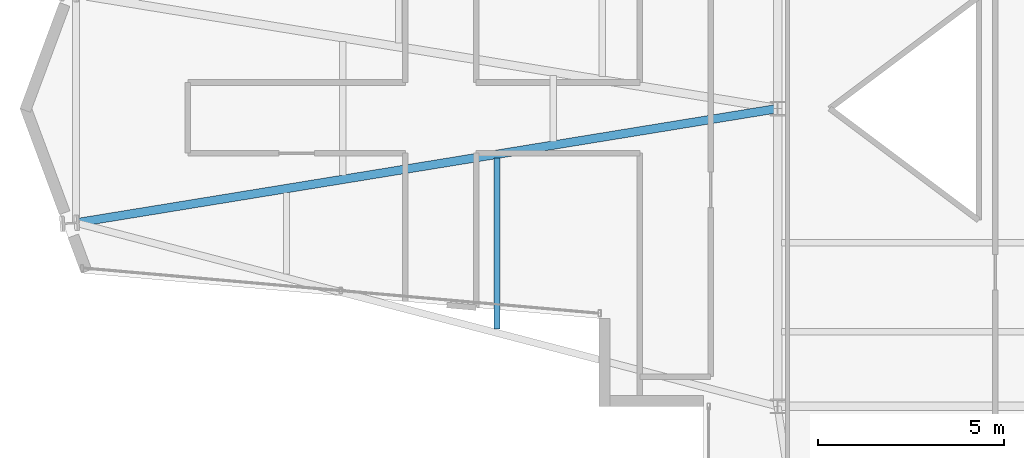
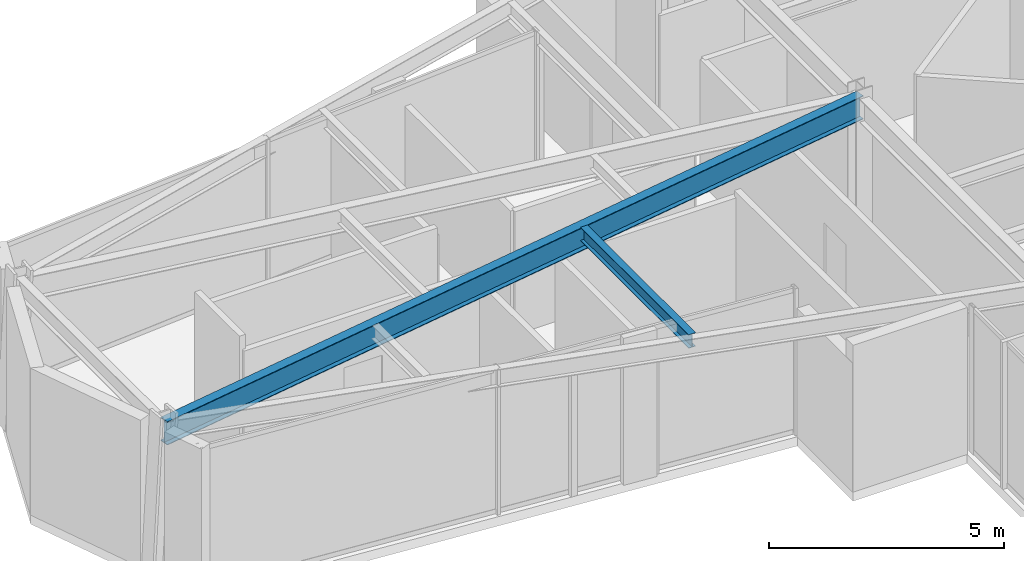
# One storey, part 5 of 25: 2 beams.
"""IFC4 building model written with IfcOpenShell, lengths in metres."""

from ifc_helpers import new_model, si_unit, direction, frame, origin, origin_2d, place, context, subcontext, project, spatial, i_section, extrude, material, material_profile, profile_set, type_object, element, save


model = new_model("IFC4")

# Units and contexts
model_context = context("Model", 3, precision=1e-05, world=origin(), true_north=direction((0.0, 1.0)))
body_context = subcontext(model_context, "Body", "Model", "MODEL_VIEW")
ifc_project = project(units=[si_unit("LENGTHUNIT", "METRE"), si_unit("AREAUNIT", "SQUARE_METRE"), si_unit("VOLUMEUNIT", "CUBIC_METRE"), si_unit("PLANEANGLEUNIT", "RADIAN"), si_unit("MASSUNIT", "GRAM", prefix="KILO")], contexts=[model_context])

# Site, building, storey
site_placement = place(None, origin())
site = spatial("IfcSite", under=ifc_project, at=site_placement, CompositionType="ELEMENT")
building_placement = place(site_placement, origin())
building = spatial("IfcBuilding", under=site, at=building_placement, Name="Veymaron Broadcast Tower", CompositionType="ELEMENT")
storey_placement = place(building_placement, frame((0.0, 0.0, 173.550048828125)))
storey = spatial("IfcBuildingStorey", under=building, at=storey_placement, Name="L40", CompositionType="ELEMENT", Elevation=173.550048828125)

# Beams
ifc_material = material(Name="Structural steel ASTM A992 Gr 50", Category="steel")
ifc_material_profile_1 = material_profile(ifc_material, i_section(OverallWidth=0.22802734375, OverallDepth=0.60791015625, WebThickness=0.01123046875, FlangeThickness=0.017333984375, at=origin_2d()), Name="W610X113")
ifc_profile_set_1 = profile_set([ifc_material_profile_1], Name="Structural steel ASTM A992 Gr 50")
beam_type_1 = type_object("IfcBeamType", Name="BM-FG2", PredefinedType="BEAM", material=ifc_profile_set_1)
beam_1_placement = place(storey_placement, frame((12.35400390625, 20.929931640625, 3.505859375), z_axis=(0.986989627659, 0.160783938541, 0.0), x_axis=(-0.160783938541, 0.986989627659, 0.0)))
element("IfcBeam", 1, at=beam_1_placement, inside=storey, type_object=beam_type_1, Name="L40 primary structural floor girder", PredefinedType="BEAM", context=body_context, shape_type="SweptSolid", body=[
    extrude(i_section(OverallWidth=0.22802734375, OverallDepth=0.60791015625, WebThickness=0.01123046875, FlangeThickness=0.017333984375, at=origin_2d()), origin(), (0.0, 0.0, 1.0), 19.094482421875),
])
ifc_material_profile_2 = material_profile(ifc_material, i_section(OverallWidth=0.1708984375, OverallDepth=0.35498046875, WebThickness=0.007080078125, FlangeThickness=0.01171875, at=origin_2d()), Name="W360X51")
ifc_profile_set_2 = profile_set([ifc_material_profile_2], Name="Structural steel ASTM A992 Gr 50")
beam_type_2 = type_object("IfcBeamType", Name="BM-JS2", PredefinedType="JOIST", material=ifc_profile_set_2)
beam_2_placement = place(storey_placement, frame((23.66162109375, 18.072021484375, 3.632568359375), z_axis=(0.0, 1.0, 0.0), x_axis=(-1.0, 0.0, 0.0)))
element("IfcBeam", 2, at=beam_2_placement, inside=storey, type_object=beam_type_2, Name="L40 Arm-A secondary joist 2S", PredefinedType="JOIST", context=body_context, shape_type="SweptSolid", body=[
    extrude(i_section(OverallWidth=0.1708984375, OverallDepth=0.35498046875, WebThickness=0.007080078125, FlangeThickness=0.01171875, at=origin_2d()), origin(), (0.0, 0.0, 1.0), 4.60009765625),
])

save(model, "model.ifc")
